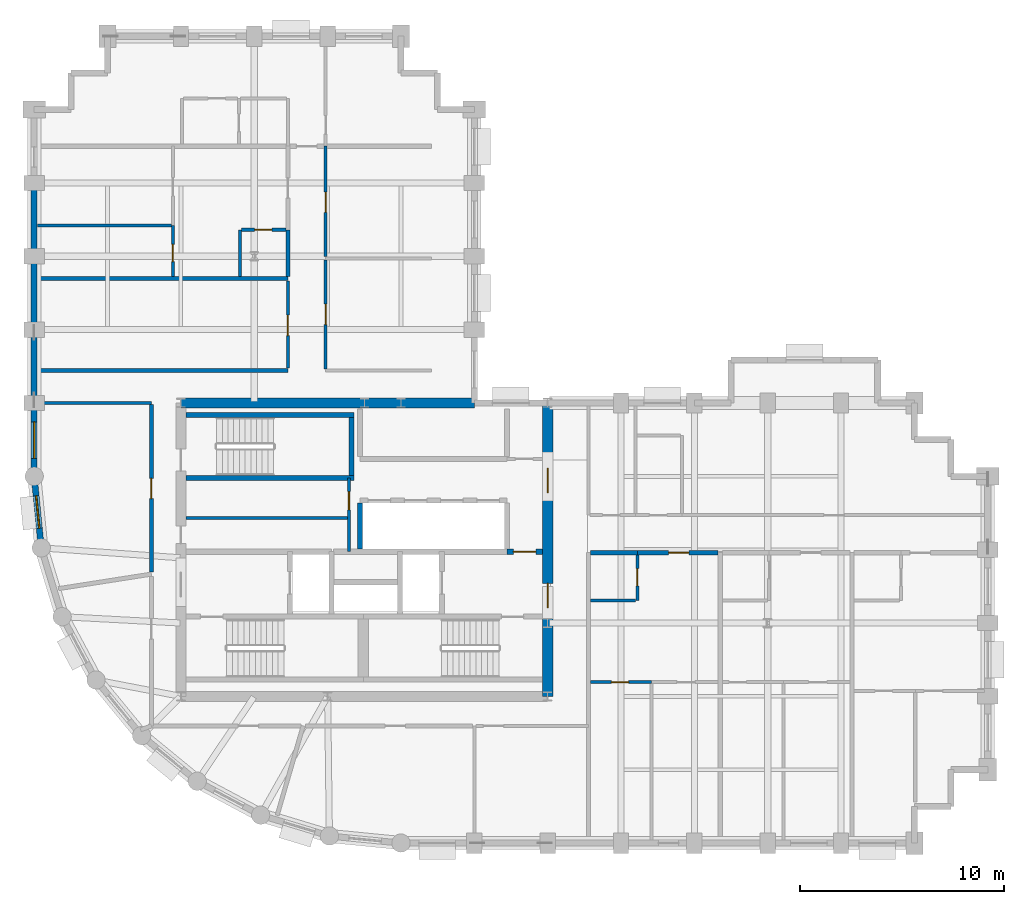
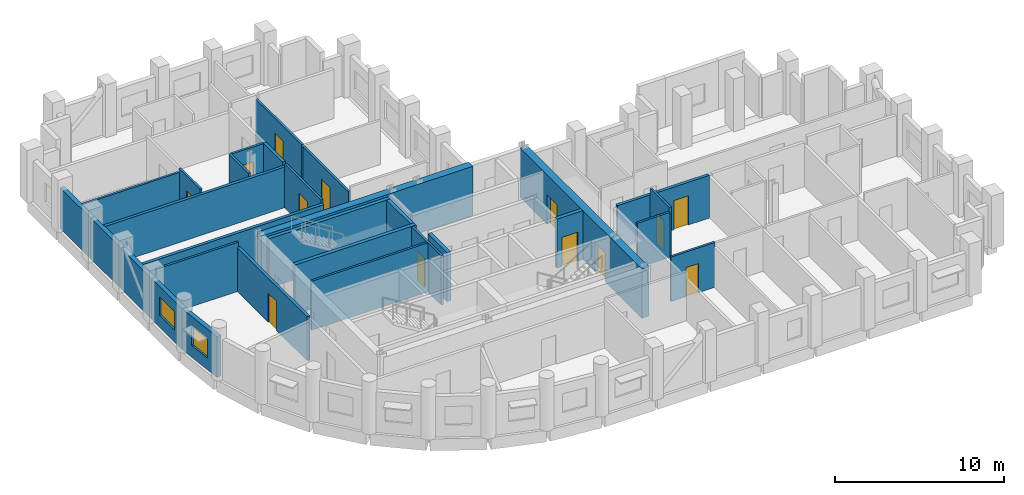
# One storey, part 4 of 9: 31 walls, 13 doors, 2 windows, 15 openings.
"""IFC4 building model written with IfcOpenShell, lengths in metres."""

import ifcopenshell
import ifcopenshell.guid

model = None  # the IFC model being written
_history = None  # IfcOwnerHistory: only IFC2X3 demands one
_inside = {}  # id of a spatial element -> (the spatial element, [elements in it])
_under = {}  # id of a project, library or spatial element -> (it, [spatial elements below it])
_declared = {}  # id of a project -> (the project, [libraries it declares])
_typed = {}  # id of a type object -> (the type object, [elements of that type])
_made_of = {}  # id of a material, layer set ... -> (it, [elements and type objects made of it])


def new_model(schema):
    """Start an empty IFC model of exactly this schema.

    Asked for "IFC4X3", IfcOpenShell would pick the latest addendum, in which some entities
    have other attributes; the version numbers below select the first issue.
    IFC2X3 requires an IfcOwnerHistory on every rooted entity: one is made here for all.
    """
    global model, _history
    if schema == "IFC4X3":
        model = ifcopenshell.file(schema_version=(4, 3, 0, 0))
    else:
        model = ifcopenshell.file(schema=schema)
    _inside.clear()
    _under.clear()
    _declared.clear()
    _typed.clear()
    _made_of.clear()
    _history = None
    if model.schema == "IFC2X3":
        org = make("IfcOrganization", Name="unknown")
        user = make(
            "IfcPersonAndOrganization",
            ThePerson=make("IfcPerson", FamilyName="unknown"),
            TheOrganization=org,
        )
        app = make(
            "IfcApplication",
            ApplicationDeveloper=org,
            Version="unknown",
            ApplicationFullName="unknown",
            ApplicationIdentifier="unknown",
        )
        _history = make(
            "IfcOwnerHistory",
            OwningUser=user,
            OwningApplication=app,
            ChangeAction="ADDED",
            CreationDate=0,
        )
    return model


def make(cls, **values):
    """One entity of the class cls with the attributes given. An attribute that is None is left unset."""
    return model.create_entity(
        cls, **{name: value for name, value in values.items() if value is not None}
    )


def rooted(cls, **values):
    """An entity with a GlobalId (a new one), such as an element, a storey or a relation."""
    return make(cls, GlobalId=ifcopenshell.guid.new(), OwnerHistory=_history, **values)


def si_unit(unit_type, name, prefix=None):
    """IfcSIUnit, for example si_unit("LENGTHUNIT", "METRE", prefix="MILLI")."""
    return make("IfcSIUnit", UnitType=unit_type, Prefix=prefix, Name=name)


def assignment(units):
    """IfcUnitAssignment: the units of a project."""
    return None if units is None else make("IfcUnitAssignment", Units=units)


def point(xyz):
    """IfcCartesianPoint."""
    return None if xyz is None else make("IfcCartesianPoint", Coordinates=xyz)


def direction(xyz):
    """IfcDirection."""
    return None if xyz is None else make("IfcDirection", DirectionRatios=xyz)


def frame(location, z_axis=None, x_axis=None):
    """IfcAxis2Placement3D, a coordinate frame: its origin and axes. An axis left out is left unset."""
    return make(
        "IfcAxis2Placement3D",
        Location=point(location),
        Axis=direction(z_axis),
        RefDirection=direction(x_axis),
    )


def frame_2d(location, x_axis=None):
    """IfcAxis2Placement2D, a coordinate frame in the plane: its origin and x axis."""
    return make(
        "IfcAxis2Placement2D", Location=point(location), RefDirection=direction(x_axis)
    )


def origin():
    """The frame at (0, 0, 0) with its axes left unset."""
    return frame((0.0, 0.0, 0.0))


def place(relative_to, where):
    """IfcLocalPlacement: puts the frame where relative to a parent placement (None: the world)."""
    return make(
        "IfcLocalPlacement", PlacementRelTo=relative_to, RelativePlacement=where
    )


def context(
    kind, dimensions, precision=None, world=None, true_north=None, identifier=None
):
    """IfcGeometricRepresentationContext, for example the 3D "Model" context."""
    return make(
        "IfcGeometricRepresentationContext",
        ContextIdentifier=identifier,
        ContextType=kind,
        CoordinateSpaceDimension=dimensions,
        Precision=precision,
        WorldCoordinateSystem=world,
        TrueNorth=true_north,
    )


def subcontext(parent, identifier, kind, view, scale=None):
    """IfcGeometricRepresentationSubContext, for example "Body" below "Model"."""
    return make(
        "IfcGeometricRepresentationSubContext",
        ContextIdentifier=identifier,
        ContextType=kind,
        ParentContext=parent,
        TargetScale=scale,
        TargetView=view,
    )


def project(units=None, contexts=None):
    """IfcProject with its units and contexts."""
    return rooted(
        "IfcProject",
        Name="project",
        RepresentationContexts=contexts,
        UnitsInContext=assignment(units),
    )


def spatial(cls, under=None, at=None, **own):
    """A site, building, storey or space (cls), placed at a placement, below another one or the project."""
    s = rooted(cls, ObjectPlacement=at, **own)
    if under is not None:
        _under.setdefault(under.id(), (under, []))[1].append(s)
    return s


def profile(cls, at=None, kind="AREA", **sizes):
    """A parametric profile (cls). Its sizes go by their IFC names, for example OverallWidth=200.0."""
    return make(cls, ProfileType=kind, Position=at, **sizes)


def rectangle(**sizes):
    """IfcRectangleProfileDef."""
    return profile("IfcRectangleProfileDef", **sizes)


def extrude(swept, where, along, depth):
    """IfcExtrudedAreaSolid: the profile swept, set in the frame where, extruded along a direction by depth."""
    return make(
        "IfcExtrudedAreaSolid",
        SweptArea=swept,
        Position=where,
        ExtrudedDirection=direction(along),
        Depth=depth,
    )


def shape(context_of_items, identifier, shape_type, items):
    """IfcShapeRepresentation: the items that make up one representation, for example the "Body"."""
    return make(
        "IfcShapeRepresentation",
        ContextOfItems=context_of_items,
        RepresentationIdentifier=identifier,
        RepresentationType=shape_type,
        Items=items,
    )


def material(Name=None, Category=None):
    """IfcMaterial."""
    return make("IfcMaterial", Name=Name, Category=Category)


def layer(
    of_material, thickness, ventilated=None, Name=None, Category=None, Priority=None
):
    """IfcMaterialLayer: one layer of a wall or slab, of a material (None: an air gap)."""
    return make(
        "IfcMaterialLayer",
        Material=of_material,
        LayerThickness=thickness,
        IsVentilated=ventilated,
        Name=Name,
        Category=Category,
        Priority=Priority,
    )


def layer_set(layers, Name=None):
    """IfcMaterialLayerSet."""
    return make("IfcMaterialLayerSet", MaterialLayers=layers, LayerSetName=Name)


def made_of(thing, what):
    """Note that an element or type object is made of a material, layer set ...; save() writes the relation."""
    if what is not None:
        _made_of.setdefault(what.id(), (what, []))[1].append(thing)
    return thing


def type_object(cls, material=None, **own):
    """A type object (cls), such as IfcWallType, which elements share."""
    return made_of(rooted(cls, **own), material)


def element(
    cls,
    number,
    at=None,
    inside=None,
    cuts=None,
    type_object=None,
    material=None,
    context=None,
    identifier="Body",
    shape_type=None,
    held_by="IfcProductDefinitionShape",
    body=None,
    shapes=None,
    **own,
):
    """One element of the class cls, such as IfcWall. Its Tag is "e" and its number.

    at: its placement. inside: the storey or other place that contains it. cuts: it is an
    opening in that element (IfcRelVoidsElement). A single representation is given by context,
    identifier, shape_type and body (its items); several are given by shapes. held_by: the class
    of the entity that holds the representations. save() writes the other relations.
    """
    e = rooted(cls, Tag="e%d" % number, ObjectPlacement=at, **own)
    if body is not None:
        shapes = [shape(context, identifier, shape_type, body)]
    if shapes is not None:
        e.Representation = make(held_by, Representations=shapes)
    if inside is not None:
        _inside.setdefault(inside.id(), (inside, []))[1].append(e)
    if cuts is not None:
        rooted(
            "IfcRelVoidsElement", RelatingBuildingElement=cuts, RelatedOpeningElement=e
        )
    if type_object is not None:
        _typed.setdefault(type_object.id(), (type_object, []))[1].append(e)
    return made_of(e, material)


def fill(opening, filler):
    """IfcRelFillsElement: the door or window that sits in an opening."""
    return rooted(
        "IfcRelFillsElement",
        RelatingOpeningElement=opening,
        RelatedBuildingElement=filler,
    )


def aggregate(whole, parts):
    """IfcRelAggregates: a whole, such as a stair, and the parts it consists of."""
    return rooted("IfcRelAggregates", RelatingObject=whole, RelatedObjects=parts)


def save(model, path):
    """Write the relations noted so far, then the file.

    IfcRelAggregates (storeys below a building ...), IfcRelContainedInSpatialStructure (elements
    in a storey), IfcRelDefinesByType, IfcRelAssociatesMaterial and IfcRelDeclares: one each for
    every whole, place, type object, material and project.
    """
    for whole, parts in _under.values():
        aggregate(whole, parts)
    for where, things in _inside.values():
        rooted(
            "IfcRelContainedInSpatialStructure",
            RelatedElements=things,
            RelatingStructure=where,
        )
    for kind, things in _typed.values():
        rooted("IfcRelDefinesByType", RelatedObjects=things, RelatingType=kind)
    for what, things in _made_of.values():
        rooted("IfcRelAssociatesMaterial", RelatedObjects=things, RelatingMaterial=what)
    for by, libraries in _declared.values():
        rooted("IfcRelDeclares", RelatingContext=by, RelatedDefinitions=libraries)
    model.write(path)


model = new_model("IFC4")

# Units and contexts
model_context = context("Model", 3, precision=1e-05, world=origin(), true_north=direction((0.0, 1.0)))
body_context = subcontext(model_context, "Body", "Model", "MODEL_VIEW")
ifc_project = project(units=[si_unit("LENGTHUNIT", "METRE"), si_unit("AREAUNIT", "SQUARE_METRE"), si_unit("VOLUMEUNIT", "CUBIC_METRE"), si_unit("PLANEANGLEUNIT", "RADIAN"), si_unit("MASSUNIT", "GRAM", prefix="KILO")], contexts=[model_context])

# Site, building, storey
site_placement = place(None, origin())
site = spatial("IfcSite", under=ifc_project, at=site_placement, CompositionType="ELEMENT")
building_placement = place(site_placement, origin())
building = spatial("IfcBuilding", under=site, at=building_placement, Name="Solnavia Interchange Tower", CompositionType="ELEMENT")
storey_placement = place(building_placement, frame((0.0, 0.0, 142.800048828125)))
storey = spatial("IfcBuildingStorey", under=building, at=storey_placement, Name="L35", CompositionType="ELEMENT", Elevation=142.800048828125)

# Wall, opening, door
ifc_material_1 = material(Name="Gypsum Acoustic Twin-Stud & Mineral Wool", Category="gypsum")
ifc_layer_1 = layer(ifc_material_1, 0.199951171875)
ifc_layer_set_1 = layer_set([ifc_layer_1], Name="Gypsum Acoustic Twin-Stud & Mineral Wool")
wall_type_1 = type_object("IfcWallType", Name="Wall-ApartmentParty-200", PredefinedType="PARTITIONING", material=ifc_layer_set_1)
wall_1_placement = place(storey_placement, frame((12.949951171875, 16.904052734375, 0.0), z_axis=(0.0, 0.0, 1.0), x_axis=(0.0, 1.0, 0.0)))
wall_1 = element("IfcWall", 1, at=wall_1_placement, inside=storey, type_object=wall_type_1, Name="PTW-L35-12 Interior partition wall", PredefinedType="PARTITIONING", context=body_context, shape_type="SweptSolid", body=[
    extrude(rectangle(XDim=8.217041015625, YDim=0.199951171875, at=frame_2d((4.1083984375, 0.0))), origin(), (0.0, 0.0, 1.0), 3.179931640625),
])
opening_1_placement = place(wall_1_placement, frame((3.595947265625, 0.0, 0.0)))
opening_1 = element("IfcOpeningElement", 2, at=opening_1_placement, cuts=wall_1, Name="Opening DR-07", PredefinedType="OPENING", context=body_context, shape_type="SweptSolid", body=[
    extrude(rectangle(XDim=1.0, YDim=2.10009765625, at=frame_2d((0.5, 1.050048828125))), frame((0.0, 0.10986328125, 0.0), z_axis=(0.0, -1.0, 0.0), x_axis=(1.0, 0.0, 0.0)), (0.0, 0.0, 1.0), 0.219970703125),
])
ifc_material_2 = material(Name="Timber & Acoustic Glazed Office Door", Category="wood")
door_type_1 = type_object("IfcDoorType", Name="Door-Office-1000x2100", OperationType="SINGLE_SWING_RIGHT", PredefinedType="DOOR", material=ifc_material_2)
door_1_placement = place(opening_1_placement, origin())
door_1 = element("IfcDoor", 3, at=door_1_placement, inside=storey, type_object=door_type_1, Name="DR-L35-03 Interior room door", OperationType="SINGLE_SWING_LEFT", OverallHeight=2.10009765625, OverallWidth=1.0, PredefinedType="DOOR", context=body_context, shape_type="SweptSolid", body=[
    extrude(rectangle(XDim=1.0, YDim=2.10009765625, at=frame_2d((0.5, 1.050048828125))), frame((0.0, 0.02490234375, 0.0), z_axis=(0.0, -1.0, 0.0), x_axis=(1.0, 0.0, 0.0)), (0.0, 0.0, 1.0), 0.050048828125),
])
fill(opening_1, door_1)

# Wall
wall_2_placement = place(storey_placement, frame((34.50390625, 17.85009765625, 0.0), z_axis=(0.0, 0.0, 1.0), x_axis=(1.0, 0.0, 0.0)))
element("IfcWall", 4, at=wall_2_placement, inside=storey, type_object=wall_type_1, Name="PTW-L35-19 Interior partition wall", PredefinedType="PARTITIONING", context=body_context, shape_type="SweptSolid", body=[
    extrude(rectangle(XDim=2.296142578125, YDim=0.199951171875, at=frame_2d((1.14794921875, 0.0))), origin(), (0.0, 0.0, 1.0), 3.079833984375),
])

# Wall, opening, door
wall_3_placement = place(storey_placement, frame((36.800048828125, 17.85009765625, 0.0), z_axis=(0.0, 0.0, 1.0), x_axis=(1.0, 0.0, 0.0)))
wall_3 = element("IfcWall", 5, at=wall_3_placement, inside=storey, type_object=wall_type_1, Name="PTW-L35-22 Interior partition wall", PredefinedType="PARTITIONING", context=body_context, shape_type="SweptSolid", body=[
    extrude(rectangle(XDim=3.966064453125, YDim=0.199951171875, at=frame_2d((1.98291015625, 0.0))), origin(), (0.0, 0.0, 1.0), 3.079833984375),
])
opening_2_placement = place(wall_3_placement, frame((1.534912109375, 0.0, 0.0)))
opening_2 = element("IfcOpeningElement", 6, at=opening_2_placement, cuts=wall_3, Name="Opening DR-06", PredefinedType="OPENING", context=body_context, shape_type="SweptSolid", body=[
    extrude(rectangle(XDim=1.0, YDim=2.10009765625, at=frame_2d((0.5, 1.050048828125))), frame((0.0, 0.10986328125, 0.0), z_axis=(0.0, -1.0, 0.0), x_axis=(1.0, 0.0, 0.0)), (0.0, 0.0, 1.0), 0.219970703125),
])
ifc_material_3 = material(Name="Engineered Timber Acoustic Fire Door", Category="wood")
door_type_2 = type_object("IfcDoorType", Name="Door-FlatEntry-1000x2100", OperationType="SINGLE_SWING_LEFT", PredefinedType="DOOR", material=ifc_material_3)
door_2_placement = place(opening_2_placement, origin())
door_2 = element("IfcDoor", 7, at=door_2_placement, inside=storey, type_object=door_type_2, Name="DR-L35-09 Interior room door", OperationType="SINGLE_SWING_LEFT", OverallHeight=2.10009765625, OverallWidth=1.0, PredefinedType="DOOR", context=body_context, shape_type="SweptSolid", body=[
    extrude(rectangle(XDim=1.0, YDim=2.10009765625, at=frame_2d((0.5, 1.050048828125))), frame((0.0, 0.02490234375, 0.0), z_axis=(0.0, -1.0, 0.0), x_axis=(1.0, 0.0, 0.0)), (0.0, 0.0, 1.0), 0.050048828125),
])
fill(opening_2, door_2)

# Walls
for number, where, z_axis, x_axis, name in (
    (8, (7.35400390625, 26.800048828125, 0.0), (0.0, 0.0, 1.0), (1.0, 0.0, 0.0), "PTW-L35-42 Interior partition wall"),
    (9, (7.35400390625, 31.300048828125, 0.0), (0.0, 0.0, 1.0), (1.0, 0.0, 0.0), "PTW-L35-43 Interior partition wall"),
):
    element("IfcWall", number, at=place(storey_placement, frame(where, z_axis=z_axis, x_axis=x_axis)), inside=storey, type_object=wall_type_1, Name=name, PredefinedType="PARTITIONING", context=body_context, shape_type="SweptSolid", body=[
        extrude(rectangle(XDim=12.2958984375, YDim=0.199951171875, at=frame_2d((6.14794921875, 0.0))), origin(), (0.0, 0.0, 1.0), 2.929931640625),
    ])
wall_4_placement = place(storey_placement, frame((19.64990234375, 31.404052734375, 0.0), z_axis=(0.0, 0.0, 1.0), x_axis=(0.0, 1.0, 0.0)))
element("IfcWall", 10, at=wall_4_placement, inside=storey, type_object=wall_type_1, Name="PTW-L35-45 Interior partition wall", PredefinedType="PARTITIONING", context=body_context, shape_type="SweptSolid", body=[
    extrude(rectangle(XDim=2.2958984375, YDim=0.199951171875, at=frame_2d((1.14794921875, 0.0))), origin(), (0.0, 0.0, 1.0), 3.179931640625),
])
ifc_material_4 = material(Name="Concrete C40/50", Category="concrete")
ifc_layer_2 = layer(ifc_material_4, 0.300048828125)
ifc_layer_set_2 = layer_set([ifc_layer_2], Name="Concrete C40/50")
wall_type_2 = type_object("IfcWallType", Name="Wall-ExtSpandrel-300", PredefinedType="STANDARD", material=ifc_layer_set_2)
wall_5_placement = place(storey_placement, frame((7.199951171875, 32.39990234375, 0.0), z_axis=(0.0, 0.0, 1.0), x_axis=(0.0, 1.0, 0.0)))
element("IfcWall", 11, at=wall_5_placement, inside=storey, type_object=wall_type_2, Name="EXW-L35-47 Exterior precast spandrel wall", PredefinedType="STANDARD", context=body_context, shape_type="SweptSolid", body=[
    extrude(rectangle(XDim=3.60009765625, YDim=0.300048828125, at=frame_2d((1.800048828125, 0.0))), origin(), (0.0, 0.0, 1.0), 2.929931640625),
])
wall_6_placement = place(storey_placement, frame((7.199951171875, 28.800048828125, 0.0), z_axis=(0.0, 0.0, 1.0), x_axis=(0.0, 1.0, 0.0)))
element("IfcWall", 12, at=wall_6_placement, inside=storey, type_object=wall_type_2, Name="EXW-L35-48 Exterior precast spandrel wall", PredefinedType="STANDARD", context=body_context, shape_type="SweptSolid", body=[
    extrude(rectangle(XDim=3.599853515625, YDim=0.300048828125, at=frame_2d((1.7998046875, 0.0))), origin(), (0.0, 0.0, 1.0), 2.929931640625),
])
wall_7_placement = place(storey_placement, frame((7.199951171875, 25.199951171875, 0.0), z_axis=(0.0, 0.0, 1.0), x_axis=(0.0, 1.0, 0.0)))
element("IfcWall", 13, at=wall_7_placement, inside=storey, type_object=wall_type_2, Name="EXW-L35-49 Exterior precast spandrel wall", PredefinedType="STANDARD", context=body_context, shape_type="SweptSolid", body=[
    extrude(rectangle(XDim=3.60009765625, YDim=0.300048828125, at=frame_2d((1.800048828125, 0.0))), origin(), (0.0, 0.0, 1.0), 2.929931640625),
])

# Wall, opening, window
wall_8_placement = place(storey_placement, frame((7.199951171875, 21.60009765625, 0.0), z_axis=(0.0, 0.0, 1.0), x_axis=(0.0, 1.0, 0.0)))
wall_8 = element("IfcWall", 14, at=wall_8_placement, inside=storey, type_object=wall_type_2, Name="EXW-L35-50 Exterior precast spandrel wall", PredefinedType="STANDARD", context=body_context, shape_type="SweptSolid", body=[
    extrude(rectangle(XDim=3.599853515625, YDim=0.300048828125, at=frame_2d((1.7998046875, 0.0))), origin(), (0.0, 0.0, 1.0), 2.929931640625),
])
opening_3_placement = place(wall_8_placement, frame((0.875, 0.0, 0.85009765625)))
opening_3 = element("IfcOpeningElement", 15, at=opening_3_placement, cuts=wall_8, Name="Opening WIN-02", PredefinedType="OPENING", context=body_context, shape_type="SweptSolid", body=[
    extrude(rectangle(XDim=1.800048828125, YDim=1.35009765625, at=frame_2d((0.89990234375, 0.675048828125))), frame((0.0, 0.16015625, 0.0), z_axis=(0.0, -1.0, 0.0), x_axis=(1.0, 0.0, 0.0)), (0.0, 0.0, 1.0), 0.320068359375),
])
ifc_material_5 = material(Name="Thermal-Break Aluminium & Low-E Glass", Category="aluminium")
window_type_1 = type_object("IfcWindowType", Name="Window-Ribbon-1800x1350", PartitioningType="SINGLE_PANEL", PredefinedType="WINDOW", material=ifc_material_5)
window_1_placement = place(opening_3_placement, origin())
window_1 = element("IfcWindow", 16, at=window_1_placement, inside=storey, type_object=window_type_1, Name="WIN-L35-50 Facade ribbon window", OverallHeight=1.35009765625, OverallWidth=1.800048828125, PartitioningType="SINGLE_PANEL", PredefinedType="WINDOW", context=body_context, shape_type="SweptSolid", body=[
    extrude(rectangle(XDim=1.800048828125, YDim=1.35009765625, at=frame_2d((0.89990234375, 0.675048828125))), frame((0.0, 0.030029296875, 0.0), z_axis=(0.0, -1.0, 0.0), x_axis=(1.0, 0.0, 0.0)), (0.0, 0.0, 1.0), 0.06005859375),
])
fill(opening_3, window_1)

wall_9_placement = place(storey_placement, frame((7.5458984375, 18.087890625, 0.0), z_axis=(0.0, 0.0, 1.0), x_axis=(-0.09802417461, 0.995184033831, 0.0)))
wall_9 = element("IfcWall", 17, at=wall_9_placement, inside=storey, type_object=wall_type_2, Name="EXW-L35-51 Exterior precast spandrel wall", PredefinedType="STANDARD", context=body_context, shape_type="SweptSolid", body=[
    extrude(rectangle(XDim=3.529296875, YDim=0.300048828125, at=frame_2d((1.7646484375, 0.0))), origin(), (0.0, 0.0, 1.0), 2.929931640625),
])
opening_4_placement = place(wall_9_placement, frame((0.965087890625, 0.0, 0.85009765625)))
opening_4 = element("IfcOpeningElement", 18, at=opening_4_placement, cuts=wall_9, Name="Opening WIN-04", PredefinedType="OPENING", context=body_context, shape_type="SweptSolid", body=[
    extrude(rectangle(XDim=1.60009765625, YDim=1.35009765625, at=frame_2d((0.800048828125, 0.675048828125))), frame((0.0, 0.16015625, 0.0), z_axis=(0.0, -1.0, 0.0), x_axis=(1.0, 0.0, 0.0)), (0.0, 0.0, 1.0), 0.320068359375),
])
window_type_2 = type_object("IfcWindowType", Name="Window-Drum-1600x1350", PartitioningType="SINGLE_PANEL", PredefinedType="WINDOW", material=ifc_material_5)
window_2_placement = place(opening_4_placement, origin())
window_2 = element("IfcWindow", 19, at=window_2_placement, inside=storey, type_object=window_type_2, Name="WIN-L35-51 Facade ribbon window", OverallHeight=1.35009765625, OverallWidth=1.60009765625, PartitioningType="SINGLE_PANEL", PredefinedType="WINDOW", context=body_context, shape_type="SweptSolid", body=[
    extrude(rectangle(XDim=1.60009765625, YDim=1.35009765625, at=frame_2d((0.800048828125, 0.675048828125))), frame((0.0, 0.030029296875, 0.0), z_axis=(0.0, -1.0, 0.0), x_axis=(1.0, 0.0, 0.0)), (0.0, 0.0, 1.0), 0.06005859375),
])
fill(opening_4, window_2)

# Wall, opening, door
ifc_material_6 = material(Name="Gypsum Plasterboard & Steel Stud", Category="steel")
ifc_layer_3 = layer(ifc_material_6, 0.14990234375)
ifc_layer_set_3 = layer_set([ifc_layer_3], Name="Gypsum Plasterboard & Steel Stud")
wall_type_3 = type_object("IfcWallType", Name="Wall-Partition-150", PredefinedType="PARTITIONING", material=ifc_layer_set_3)
wall_10_placement = place(storey_placement, frame((22.64990234375, 17.89990234375, 0.0), z_axis=(0.0, 0.0, 1.0), x_axis=(0.0, 1.0, 0.0)))
wall_10 = element("IfcWall", 20, at=wall_10_placement, inside=storey, type_object=wall_type_3, Name="CSW-L35-E Core shaft wall", PredefinedType="PARTITIONING", context=body_context, shape_type="SweptSolid", body=[
    extrude(rectangle(XDim=3.625, YDim=0.14990234375, at=frame_2d((1.8125, 0.0))), origin(), (0.0, 0.0, 1.0), 3.534912109375),
])
opening_5_placement = place(wall_10_placement, frame((2.050048828125, 0.0, 0.0)))
opening_5 = element("IfcOpeningElement", 21, at=opening_5_placement, cuts=wall_10, Name="Opening DR-09", PredefinedType="OPENING", context=body_context, shape_type="SweptSolid", body=[
    extrude(rectangle(XDim=0.89990234375, YDim=2.10009765625, at=frame_2d((0.449951171875, 1.050048828125))), frame((0.0, 0.0849609375, 0.0), z_axis=(0.0, -1.0, 0.0), x_axis=(1.0, 0.0, 0.0)), (0.0, 0.0, 1.0), 0.169921875),
])
ifc_material_7 = material(Name="Engineered Oak Veneer Door", Category="wood")
door_type_3 = type_object("IfcDoorType", Name="Door-Internal-900x2100", OperationType="SINGLE_SWING_LEFT", PredefinedType="DOOR", material=ifc_material_7)
door_3_placement = place(opening_5_placement, origin())
door_3 = element("IfcDoor", 22, at=door_3_placement, inside=storey, type_object=door_type_3, Name="DR-L35-CS2 Core fire door", OperationType="SINGLE_SWING_LEFT", OverallHeight=2.10009765625, OverallWidth=0.89990234375, PredefinedType="DOOR", context=body_context, shape_type="SweptSolid", body=[
    extrude(rectangle(XDim=0.89990234375, YDim=2.10009765625, at=frame_2d((0.449951171875, 1.050048828125))), frame((0.0, 0.02490234375, 0.0), z_axis=(0.0, -1.0, 0.0), x_axis=(1.0, 0.0, 0.0)), (0.0, 0.0, 1.0), 0.050048828125),
])
fill(opening_5, door_3)

# Walls
wall_11_placement = place(storey_placement, frame((14.64990234375, 19.550048828125, 0.0), z_axis=(0.0, 0.0, 1.0), x_axis=(1.0, 0.0, 0.0)))
element("IfcWall", 23, at=wall_11_placement, inside=storey, type_object=wall_type_3, Name="CSW-L35-H1 Core shaft wall", PredefinedType="PARTITIONING", context=body_context, shape_type="SweptSolid", body=[
    extrude(rectangle(XDim=8.0, YDim=0.14990234375, at=frame_2d((4.0, 0.0))), origin(), (0.0, 0.0, 1.0), 3.534912109375),
])
wall_12_placement = place(storey_placement, frame((7.35400390625, 25.199951171875, 0.0), z_axis=(0.0, 0.0, 1.0), x_axis=(1.0, 0.0, 0.0)))
element("IfcWall", 24, at=wall_12_placement, inside=storey, type_object=wall_type_3, Name="PTW-L35-07 Interior partition wall", PredefinedType="PARTITIONING", context=body_context, shape_type="SweptSolid", body=[
    extrude(rectangle(XDim=5.595947265625, YDim=0.14990234375, at=frame_2d((2.7978515625, 0.0))), origin(), (0.0, 0.0, 1.0), 3.534912109375),
])

# Wall, opening, door
wall_13_placement = place(storey_placement, frame((19.64990234375, 26.904052734375, 0.0), z_axis=(0.0, 0.0, 1.0), x_axis=(0.0, 1.0, 0.0)))
wall_13 = element("IfcWall", 25, at=wall_13_placement, inside=storey, type_object=wall_type_3, Name="PTW-L35-44 Interior partition wall", PredefinedType="PARTITIONING", context=body_context, shape_type="SweptSolid", body=[
    extrude(rectangle(XDim=4.2919921875, YDim=0.14990234375, at=frame_2d((2.14599609375, 0.0))), origin(), (0.0, 0.0, 1.0), 3.169921875),
])
opening_6_placement = place(wall_13_placement, frame((1.60595703125, 0.0, 0.0)))
opening_6 = element("IfcOpeningElement", 26, at=opening_6_placement, cuts=wall_13, Name="Opening DR-07", PredefinedType="OPENING", context=body_context, shape_type="SweptSolid", body=[
    extrude(rectangle(XDim=1.0, YDim=2.10009765625, at=frame_2d((0.5, 1.050048828125))), frame((0.0, 0.0849609375, 0.0), z_axis=(0.0, -1.0, 0.0), x_axis=(1.0, 0.0, 0.0)), (0.0, 0.0, 1.0), 0.169921875),
])
door_4_placement = place(opening_6_placement, origin())
door_4 = element("IfcDoor", 27, at=door_4_placement, inside=storey, type_object=door_type_1, Name="DR-L35-21 Interior room door", OperationType="SINGLE_SWING_RIGHT", OverallHeight=2.10009765625, OverallWidth=1.0, PredefinedType="DOOR", context=body_context, shape_type="SweptSolid", body=[
    extrude(rectangle(XDim=1.0, YDim=2.10009765625, at=frame_2d((0.5, 1.050048828125))), frame((0.0, 0.02490234375, 0.0), z_axis=(0.0, -1.0, 0.0), x_axis=(1.0, 0.0, 0.0)), (0.0, 0.0, 1.0), 0.050048828125),
])
fill(opening_6, door_4)

wall_14_placement = place(storey_placement, frame((21.5, 26.87890625, 0.0), z_axis=(0.0, 0.0, 1.0), x_axis=(0.0, 1.0, 0.0)))
wall_14 = element("IfcWall", 28, at=wall_14_placement, inside=storey, type_object=wall_type_3, Name="PTW-L35-54 Interior partition wall", PredefinedType="PARTITIONING", context=body_context, shape_type="SweptSolid", body=[
    extrude(rectangle(XDim=5.342041015625, YDim=0.14990234375, at=frame_2d((2.6708984375, 0.0))), origin(), (0.0, 0.0, 1.0), 3.1298828125),
])
opening_7_placement = place(wall_14_placement, frame((2.1708984375, 0.0, 0.0)))
opening_7 = element("IfcOpeningElement", 29, at=opening_7_placement, cuts=wall_14, Name="Opening DR-07", PredefinedType="OPENING", context=body_context, shape_type="SweptSolid", body=[
    extrude(rectangle(XDim=1.0, YDim=2.10009765625, at=frame_2d((0.5, 1.050048828125))), frame((0.0, 0.0849609375, 0.0), z_axis=(0.0, -1.0, 0.0), x_axis=(1.0, 0.0, 0.0)), (0.0, 0.0, 1.0), 0.169921875),
])
door_5_placement = place(opening_7_placement, origin())
door_5 = element("IfcDoor", 30, at=door_5_placement, inside=storey, type_object=door_type_1, Name="DR-L35-26 Interior room door", OperationType="SINGLE_SWING_LEFT", OverallHeight=2.10009765625, OverallWidth=1.0, PredefinedType="DOOR", context=body_context, shape_type="SweptSolid", body=[
    extrude(rectangle(XDim=1.0, YDim=2.10009765625, at=frame_2d((0.5, 1.050048828125))), frame((0.0, 0.02490234375, 0.0), z_axis=(0.0, -1.0, 0.0), x_axis=(1.0, 0.0, 0.0)), (0.0, 0.0, 1.0), 0.050048828125),
])
fill(opening_7, door_5)

wall_15_placement = place(storey_placement, frame((21.5, 32.37890625, 0.0), z_axis=(0.0, 0.0, 1.0), x_axis=(0.0, 1.0, 0.0)))
wall_15 = element("IfcWall", 31, at=wall_15_placement, inside=storey, type_object=wall_type_3, Name="PTW-L35-55 Interior partition wall", PredefinedType="PARTITIONING", context=body_context, shape_type="SweptSolid", body=[
    extrude(rectangle(XDim=5.421142578125, YDim=0.14990234375, at=frame_2d((2.71044921875, 0.0))), origin(), (0.0, 0.0, 1.0), 3.169921875),
])
opening_8_placement = place(wall_15_placement, frame((2.1708984375, 0.0, 0.0)))
opening_8 = element("IfcOpeningElement", 32, at=opening_8_placement, cuts=wall_15, Name="Opening DR-07", PredefinedType="OPENING", context=body_context, shape_type="SweptSolid", body=[
    extrude(rectangle(XDim=1.0, YDim=2.10009765625, at=frame_2d((0.5, 1.050048828125))), frame((0.0, 0.0849609375, 0.0), z_axis=(0.0, -1.0, 0.0), x_axis=(1.0, 0.0, 0.0)), (0.0, 0.0, 1.0), 0.169921875),
])
door_6_placement = place(opening_8_placement, origin())
door_6 = element("IfcDoor", 33, at=door_6_placement, inside=storey, type_object=door_type_1, Name="DR-L35-27 Interior room door", OperationType="SINGLE_SWING_LEFT", OverallHeight=2.10009765625, OverallWidth=1.0, PredefinedType="DOOR", context=body_context, shape_type="SweptSolid", body=[
    extrude(rectangle(XDim=1.0, YDim=2.10009765625, at=frame_2d((0.5, 1.050048828125))), frame((0.0, 0.02490234375, 0.0), z_axis=(0.0, -1.0, 0.0), x_axis=(1.0, 0.0, 0.0)), (0.0, 0.0, 1.0), 0.050048828125),
])
fill(opening_8, door_6)

# Walls
ifc_layer_4 = layer(ifc_material_4, 0.25)
ifc_layer_set_4 = layer_set([ifc_layer_4], Name="Concrete C40/50")
wall_type_4 = type_object("IfcWallType", Name="Wall-ShaftCore-250", PredefinedType="SHEAR", material=ifc_layer_set_4)
for number, where, z_axis, x_axis, name in (
    (34, (14.64990234375, 21.52490234375, 0.0), (0.0, 0.0, 1.0), (1.0, 0.0, 0.0), "SHW-L35-ST3S Core shear wall"),
    (35, (14.64990234375, 24.614990234375, 0.0), (0.0, 0.0, 1.0), (1.0, 0.0, 0.0), "SHW-L35-ST3N Core shear wall"),
):
    element("IfcWall", number, at=place(storey_placement, frame(where, z_axis=z_axis, x_axis=x_axis)), inside=storey, type_object=wall_type_4, Name=name, PredefinedType="SHEAR", context=body_context, shape_type="SweptSolid", body=[
        extrude(rectangle(XDim=8.25, YDim=0.25, at=frame_2d((4.125, 0.0))), origin(), (0.0, 0.0, 1.0), 3.550048828125),
    ])
wall_16_placement = place(storey_placement, frame((22.77490234375, 21.64990234375, 0.0), z_axis=(0.0, 0.0, 1.0), x_axis=(0.0, 1.0, 0.0)))
element("IfcWall", 36, at=wall_16_placement, inside=storey, type_object=wall_type_4, Name="SHW-L35-ST3E Core shear wall", PredefinedType="SHEAR", context=body_context, shape_type="SweptSolid", body=[
    extrude(rectangle(XDim=2.840087890625, YDim=0.25, at=frame_2d((1.419921875, 0.0))), origin(), (0.0, 0.0, 1.0), 3.550048828125),
])

# Wall, opening, door
ifc_layer_5 = layer(ifc_material_4, 0.25)
ifc_layer_set_5 = layer_set([ifc_layer_5], Name="Concrete C40/50")
wall_type_5 = type_object("IfcWallType", Name="Wall-ShaftPart-250", PredefinedType="PARTITIONING", material=ifc_layer_set_5)
wall_17_placement = place(storey_placement, frame((30.39990234375, 17.89990234375, 0.0), z_axis=(0.0, 0.0, 1.0), x_axis=(1.0, 0.0, 0.0)))
wall_17 = element("IfcWall", 37, at=wall_17_placement, inside=storey, type_object=wall_type_5, Name="SHW-L35-FFLE-N2 Core shaft wall", PredefinedType="PARTITIONING", context=body_context, shape_type="SweptSolid", body=[
    extrude(rectangle(XDim=1.75, YDim=0.25, at=frame_2d((0.875, 0.0))), origin(), (0.0, 0.0, 1.0), 3.534912109375),
])
opening_9_placement = place(wall_17_placement, frame((0.320068359375, 0.0, 0.0)))
opening_9 = element("IfcOpeningElement", 38, at=opening_9_placement, cuts=wall_17, Name="Opening DR-01", PredefinedType="OPENING", context=body_context, shape_type="SweptSolid", body=[
    extrude(rectangle(XDim=1.10009765625, YDim=2.10009765625, at=frame_2d((0.550048828125, 1.050048828125))), frame((0.0, 0.135009765625, 0.0), z_axis=(0.0, -1.0, 0.0), x_axis=(1.0, 0.0, 0.0)), (0.0, 0.0, 1.0), 0.27001953125),
])
ifc_material_8 = material(Name="Steel Fire-Rated Leaf & Frame", Category="steel")
door_type_4 = type_object("IfcDoorType", Name="Door-StairFire-1100x2100", OperationType="SINGLE_SWING_LEFT", PredefinedType="DOOR", material=ifc_material_8)
door_7_placement = place(opening_9_placement, origin())
door_7 = element("IfcDoor", 39, at=door_7_placement, inside=storey, type_object=door_type_4, Name="DR-L35-LLC Core fire door", OperationType="SINGLE_SWING_LEFT", OverallHeight=2.10009765625, OverallWidth=1.10009765625, PredefinedType="DOOR", context=body_context, shape_type="SweptSolid", body=[
    extrude(rectangle(XDim=1.10009765625, YDim=2.10009765625, at=frame_2d((0.550048828125, 1.050048828125))), frame((0.0, 0.02490234375, 0.0), z_axis=(0.0, -1.0, 0.0), x_axis=(1.0, 0.0, 0.0)), (0.0, 0.0, 1.0), 0.050048828125),
])
fill(opening_9, door_7)

# Walls
wall_18_placement = place(storey_placement, frame((23.179931640625, 18.02490234375, 0.0), z_axis=(0.0, 0.0, 1.0), x_axis=(0.0, 1.0, 0.0)))
element("IfcWall", 40, at=wall_18_placement, inside=storey, type_object=wall_type_5, Name="SHW-L35-B2W Core shaft wall", PredefinedType="PARTITIONING", context=body_context, shape_type="SweptSolid", body=[
    extrude(rectangle(XDim=2.27001953125, YDim=0.25, at=frame_2d((1.135009765625, 0.0))), origin(), (0.0, 0.0, 1.0), 3.534912109375),
])
ifc_material_9 = material(Name="Concrete C60/75", Category="concrete")
ifc_layer_6 = layer(ifc_material_9, 0.5)
ifc_layer_set_6 = layer_set([ifc_layer_6], Name="Concrete C60/75")
wall_type_6 = type_object("IfcWallType", Name="Wall-ShearCore-500", PredefinedType="SHEAR", material=ifc_layer_set_6)
wall_19_placement = place(storey_placement, frame((14.39990234375, 25.199951171875, 0.0), z_axis=(0.0, 0.0, 1.0), x_axis=(1.0, 0.0, 0.0)))
element("IfcWall", 41, at=wall_19_placement, inside=storey, type_object=wall_type_6, Name="CRW-L35-N Core shear wall", PredefinedType="SHEAR", context=body_context, shape_type="SweptSolid", body=[
    extrude(rectangle(XDim=14.400146484375, YDim=0.5, at=frame_2d((7.2001953125, 0.0))), origin(), (0.0, 0.0, 1.0), 3.550048828125),
])

# Wall, openings, doors
wall_20_placement = place(storey_placement, frame((32.39990234375, 10.800048828125, 0.0), z_axis=(0.0, 0.0, 1.0), x_axis=(0.0, 1.0, 0.0)))
wall_20 = element("IfcWall", 42, at=wall_20_placement, inside=storey, type_object=wall_type_6, Name="CRW-L35-E Core shear wall", PredefinedType="SHEAR", context=body_context, shape_type="SweptSolid", body=[
    extrude(rectangle(XDim=14.39990234375, YDim=0.5, at=frame_2d((7.199951171875, 0.0))), origin(), (0.0, 0.0, 1.0), 3.550048828125),
])
opening_10_placement = place(wall_20_placement, frame((4.35009765625, 0.0, 0.0)))
opening_10 = element("IfcOpeningElement", 43, at=opening_10_placement, cuts=wall_20, Name="Opening DR-02", PredefinedType="OPENING", context=body_context, shape_type="SweptSolid", body=[
    extrude(rectangle(XDim=1.199951171875, YDim=2.10009765625, at=frame_2d((0.60009765625, 1.050048828125))), frame((0.0, 0.260009765625, 0.0), z_axis=(0.0, -1.0, 0.0), x_axis=(1.0, 0.0, 0.0)), (0.0, 0.0, 1.0), 0.52001953125),
])
opening_11_placement = place(wall_20_placement, frame((10.0, 0.0, 0.0)))
opening_11 = element("IfcOpeningElement", 44, at=opening_11_placement, cuts=wall_20, Name="Opening DR-02", PredefinedType="OPENING", context=body_context, shape_type="SweptSolid", body=[
    extrude(rectangle(XDim=1.199951171875, YDim=2.10009765625, at=frame_2d((0.60009765625, 1.050048828125))), frame((0.0, 0.260009765625, 0.0), z_axis=(0.0, -1.0, 0.0), x_axis=(1.0, 0.0, 0.0)), (0.0, 0.0, 1.0), 0.52001953125),
])
ifc_material_10 = material(Name="Steel Fire-Rated Vision-Panel Door", Category="steel")
door_type_5 = type_object("IfcDoorType", Name="Door-LobbyFire-1200x2100", OperationType="SINGLE_SWING_RIGHT", PredefinedType="DOOR", material=ifc_material_10)
door_8_placement = place(opening_10_placement, origin())
door_8 = element("IfcDoor", 45, at=door_8_placement, inside=storey, type_object=door_type_5, Name="DR-L35-FFL2E Core fire door", OperationType="SINGLE_SWING_LEFT", OverallHeight=2.10009765625, OverallWidth=1.199951171875, PredefinedType="DOOR", context=body_context, shape_type="SweptSolid", body=[
    extrude(rectangle(XDim=1.199951171875, YDim=2.10009765625, at=frame_2d((0.60009765625, 1.050048828125))), frame((0.0, 0.02490234375, 0.0), z_axis=(0.0, -1.0, 0.0), x_axis=(1.0, 0.0, 0.0)), (0.0, 0.0, 1.0), 0.050048828125),
])
fill(opening_10, door_8)
door_9_placement = place(opening_11_placement, origin())
door_9 = element("IfcDoor", 46, at=door_9_placement, inside=storey, type_object=door_type_5, Name="DR-L35-LLE Core fire door", OperationType="SINGLE_SWING_RIGHT", OverallHeight=2.10009765625, OverallWidth=1.199951171875, PredefinedType="DOOR", context=body_context, shape_type="SweptSolid", body=[
    extrude(rectangle(XDim=1.199951171875, YDim=2.10009765625, at=frame_2d((0.60009765625, 1.050048828125))), frame((0.0, 0.02490234375, 0.0), z_axis=(0.0, -1.0, 0.0), x_axis=(1.0, 0.0, 0.0)), (0.0, 0.0, 1.0), 0.050048828125),
])
fill(opening_11, door_9)

# Wall, opening, door
ifc_material_11 = material(Name="Moisture-Resistant Gypsum & Steel Stud", Category="steel")
ifc_layer_7 = layer(ifc_material_11, 0.14990234375)
ifc_layer_set_7 = layer_set([ifc_layer_7], Name="Moisture-Resistant Gypsum & Steel Stud")
wall_type_7 = type_object("IfcWallType", Name="Wall-WetRoom-150", PredefinedType="PARTITIONING", material=ifc_layer_set_7)
wall_21_placement = place(storey_placement, frame((36.800048828125, 15.5, 0.0), z_axis=(0.0, 0.0, 1.0), x_axis=(0.0, 1.0, 0.0)))
wall_21 = element("IfcWall", 47, at=wall_21_placement, inside=storey, type_object=wall_type_7, Name="PTW-L35-20 Interior partition wall", PredefinedType="PARTITIONING", context=body_context, shape_type="SweptSolid", body=[
    extrude(rectangle(XDim=2.24609375, YDim=0.14990234375, at=frame_2d((1.123046875, 0.0))), origin(), (0.0, 0.0, 1.0), 3.534912109375),
])
opening_12_placement = place(wall_21_placement, frame((0.719970703125, 0.0, 0.0)))
opening_12 = element("IfcOpeningElement", 48, at=opening_12_placement, cuts=wall_21, Name="Opening DR-10", PredefinedType="OPENING", context=body_context, shape_type="SweptSolid", body=[
    extrude(rectangle(XDim=0.85009765625, YDim=2.10009765625, at=frame_2d((0.425048828125, 1.050048828125))), frame((0.0, 0.0849609375, 0.0), z_axis=(0.0, -1.0, 0.0), x_axis=(1.0, 0.0, 0.0)), (0.0, 0.0, 1.0), 0.169921875),
])
ifc_material_12 = material(Name="Moisture-Resistant Timber Door", Category="wood")
door_type_6 = type_object("IfcDoorType", Name="Door-Bathroom-850x2100", OperationType="SINGLE_SWING_RIGHT", PredefinedType="DOOR", material=ifc_material_12)
door_10_placement = place(opening_12_placement, origin())
door_10 = element("IfcDoor", 49, at=door_10_placement, inside=storey, type_object=door_type_6, Name="DR-L35-08 Interior room door", OperationType="SINGLE_SWING_RIGHT", OverallHeight=2.10009765625, OverallWidth=0.85009765625, PredefinedType="DOOR", context=body_context, shape_type="SweptSolid", body=[
    extrude(rectangle(XDim=0.85009765625, YDim=2.10009765625, at=frame_2d((0.425048828125, 1.050048828125))), frame((0.0, 0.02490234375, 0.0), z_axis=(0.0, -1.0, 0.0), x_axis=(1.0, 0.0, 0.0)), (0.0, 0.0, 1.0), 0.050048828125),
])
fill(opening_12, door_10)

# Wall
wall_22_placement = place(storey_placement, frame((34.50390625, 15.5, 0.0), z_axis=(0.0, 0.0, 1.0), x_axis=(1.0, 0.0, 0.0)))
element("IfcWall", 50, at=wall_22_placement, inside=storey, type_object=wall_type_7, Name="PTW-L35-21 Interior partition wall", PredefinedType="PARTITIONING", context=body_context, shape_type="SweptSolid", body=[
    extrude(rectangle(XDim=2.217041015625, YDim=0.14990234375, at=frame_2d((1.1083984375, 0.0))), origin(), (0.0, 0.0, 1.0), 3.219970703125),
])

# Wall, opening, door
wall_23_placement = place(storey_placement, frame((34.50390625, 11.5, 0.0), z_axis=(0.0, 0.0, 1.0), x_axis=(1.0, 0.0, 0.0)))
wall_23 = element("IfcWall", 51, at=wall_23_placement, inside=storey, type_object=wall_type_7, Name="PTW-L35-24 Interior partition wall", PredefinedType="PARTITIONING", context=body_context, shape_type="SweptSolid", body=[
    extrude(rectangle(XDim=2.99609375, YDim=0.14990234375, at=frame_2d((1.498046875, 0.0))), origin(), (0.0, 0.0, 1.0), 3.219970703125),
])
opening_13_placement = place(wall_23_placement, frame((1.02099609375, 0.0, 0.0)))
opening_13 = element("IfcOpeningElement", 52, at=opening_13_placement, cuts=wall_23, Name="Opening DR-10", PredefinedType="OPENING", context=body_context, shape_type="SweptSolid", body=[
    extrude(rectangle(XDim=0.85009765625, YDim=2.10009765625, at=frame_2d((0.425048828125, 1.050048828125))), frame((0.0, 0.0849609375, 0.0), z_axis=(0.0, -1.0, 0.0), x_axis=(1.0, 0.0, 0.0)), (0.0, 0.0, 1.0), 0.169921875),
])
door_11_placement = place(opening_13_placement, origin())
door_11 = element("IfcDoor", 53, at=door_11_placement, inside=storey, type_object=door_type_6, Name="DR-L35-11 Interior room door", OperationType="SINGLE_SWING_LEFT", OverallHeight=2.10009765625, OverallWidth=0.85009765625, PredefinedType="DOOR", context=body_context, shape_type="SweptSolid", body=[
    extrude(rectangle(XDim=0.85009765625, YDim=2.10009765625, at=frame_2d((0.425048828125, 1.050048828125))), frame((0.0, 0.02490234375, 0.0), z_axis=(0.0, -1.0, 0.0), x_axis=(1.0, 0.0, 0.0)), (0.0, 0.0, 1.0), 0.050048828125),
])
fill(opening_13, door_11)

# Wall
wall_24_placement = place(storey_placement, frame((17.300048828125, 31.404052734375, 0.0), z_axis=(0.0, 0.0, 1.0), x_axis=(0.0, 1.0, 0.0)))
element("IfcWall", 54, at=wall_24_placement, inside=storey, type_object=wall_type_7, Name="PTW-L35-46 Interior partition wall", PredefinedType="PARTITIONING", context=body_context, shape_type="SweptSolid", body=[
    extrude(rectangle(XDim=2.2958984375, YDim=0.14990234375, at=frame_2d((1.14794921875, 0.0))), origin(), (0.0, 0.0, 1.0), 3.179931640625),
])

# Wall, opening, door
wall_25_placement = place(storey_placement, frame((17.37890625, 33.699951171875, 0.0), z_axis=(0.0, 0.0, 1.0), x_axis=(1.0, 0.0, 0.0)))
wall_25 = element("IfcWall", 55, at=wall_25_placement, inside=storey, type_object=wall_type_7, Name="PTW-L35-47 Interior partition wall", PredefinedType="PARTITIONING", context=body_context, shape_type="SweptSolid", body=[
    extrude(rectangle(XDim=2.1669921875, YDim=0.14990234375, at=frame_2d((1.08349609375, 0.0))), origin(), (0.0, 0.0, 1.0), 3.169921875),
])
opening_14_placement = place(wall_25_placement, frame((0.633056640625, 0.0, 0.0)))
opening_14 = element("IfcOpeningElement", 56, at=opening_14_placement, cuts=wall_25, Name="Opening DR-10", PredefinedType="OPENING", context=body_context, shape_type="SweptSolid", body=[
    extrude(rectangle(XDim=0.85009765625, YDim=2.10009765625, at=frame_2d((0.425048828125, 1.050048828125))), frame((0.0, 0.0849609375, 0.0), z_axis=(0.0, -1.0, 0.0), x_axis=(1.0, 0.0, 0.0)), (0.0, 0.0, 1.0), 0.169921875),
])
door_12_placement = place(opening_14_placement, origin())
door_12 = element("IfcDoor", 57, at=door_12_placement, inside=storey, type_object=door_type_6, Name="DR-L35-22 Interior room door", OperationType="SINGLE_SWING_RIGHT", OverallHeight=2.10009765625, OverallWidth=0.85009765625, PredefinedType="DOOR", context=body_context, shape_type="SweptSolid", body=[
    extrude(rectangle(XDim=0.85009765625, YDim=2.10009765625, at=frame_2d((0.425048828125, 1.050048828125))), frame((0.0, 0.02490234375, 0.0), z_axis=(0.0, -1.0, 0.0), x_axis=(1.0, 0.0, 0.0)), (0.0, 0.0, 1.0), 0.050048828125),
])
fill(opening_14, door_12)

wall_26_placement = place(storey_placement, frame((14.010009765625, 31.404052734375, 0.0), z_axis=(0.0, 0.0, 1.0), x_axis=(0.0, 1.0, 0.0)))
wall_26 = element("IfcWall", 58, at=wall_26_placement, inside=storey, type_object=wall_type_7, Name="PTW-L35-50 Interior partition wall", PredefinedType="PARTITIONING", context=body_context, shape_type="SweptSolid", body=[
    extrude(rectangle(XDim=2.495849609375, YDim=0.14990234375, at=frame_2d((1.248046875, 0.0))), origin(), (0.0, 0.0, 1.0), 3.179931640625),
])
opening_15_placement = place(wall_26_placement, frame((0.73095703125, 0.0, 0.0)))
opening_15 = element("IfcOpeningElement", 59, at=opening_15_placement, cuts=wall_26, Name="Opening DR-10", PredefinedType="OPENING", context=body_context, shape_type="SweptSolid", body=[
    extrude(rectangle(XDim=0.85009765625, YDim=2.10009765625, at=frame_2d((0.425048828125, 1.050048828125))), frame((0.0, 0.0849609375, 0.0), z_axis=(0.0, -1.0, 0.0), x_axis=(1.0, 0.0, 0.0)), (0.0, 0.0, 1.0), 0.169921875),
])
door_13_placement = place(opening_15_placement, origin())
door_13 = element("IfcDoor", 60, at=door_13_placement, inside=storey, type_object=door_type_6, Name="DR-L35-25 Interior room door", OperationType="SINGLE_SWING_RIGHT", OverallHeight=2.10009765625, OverallWidth=0.85009765625, PredefinedType="DOOR", context=body_context, shape_type="SweptSolid", body=[
    extrude(rectangle(XDim=0.85009765625, YDim=2.10009765625, at=frame_2d((0.425048828125, 1.050048828125))), frame((0.0, 0.02490234375, 0.0), z_axis=(0.0, -1.0, 0.0), x_axis=(1.0, 0.0, 0.0)), (0.0, 0.0, 1.0), 0.050048828125),
])
fill(opening_15, door_13)

# Wall
wall_27_placement = place(storey_placement, frame((7.35400390625, 33.89990234375, 0.0), z_axis=(0.0, 0.0, 1.0), x_axis=(1.0, 0.0, 0.0)))
element("IfcWall", 61, at=wall_27_placement, inside=storey, type_object=wall_type_7, Name="PTW-L35-51 Interior partition wall", PredefinedType="PARTITIONING", context=body_context, shape_type="SweptSolid", body=[
    extrude(rectangle(XDim=6.576904296875, YDim=0.14990234375, at=frame_2d((3.28857421875, 0.0))), origin(), (0.0, 0.0, 1.0), 2.929931640625),
])

save(model, "model.ifc")
